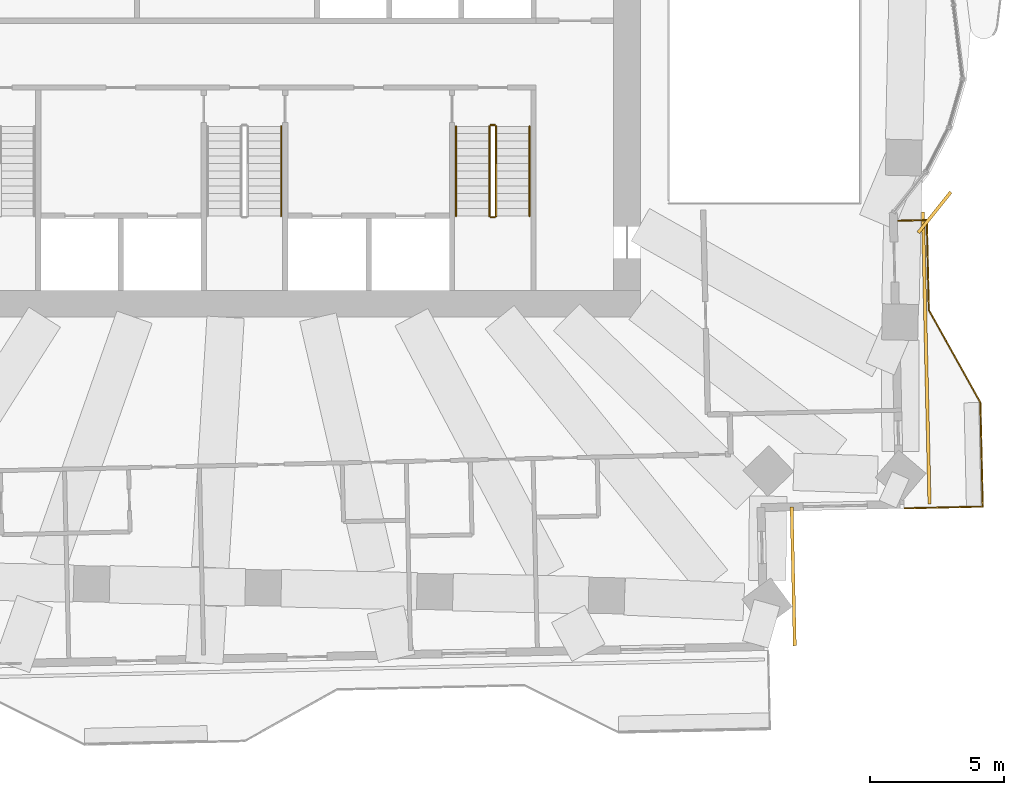
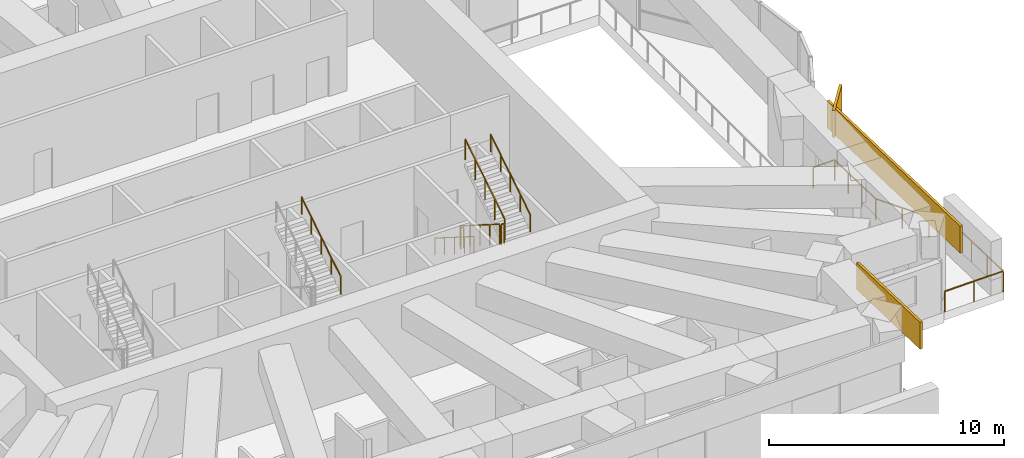
# One storey, part 18 of 21: 8 railings, 3 coverings.
"""IFC4 building model written with IfcOpenShell, lengths in metres."""

from ifc_helpers import new_model, si_unit, direction, frame, frame_2d, origin, origin_2d, place, context, subcontext, project, spatial, rectangle, circle, extrude, material, layer, layer_set, type_object, element, save


model = new_model("IFC4")

# Units and contexts
model_context = context("Model", 3, precision=1e-05, world=origin(), true_north=direction((0.0, 1.0)))
body_context = subcontext(model_context, "Body", "Model", "MODEL_VIEW")
ifc_project = project(units=[si_unit("LENGTHUNIT", "METRE"), si_unit("AREAUNIT", "SQUARE_METRE"), si_unit("VOLUMEUNIT", "CUBIC_METRE"), si_unit("PLANEANGLEUNIT", "RADIAN"), si_unit("MASSUNIT", "GRAM", prefix="KILO")], contexts=[model_context])

# Site, building, storey
site_placement = place(None, origin())
site = spatial("IfcSite", under=ifc_project, at=site_placement, CompositionType="ELEMENT")
building_placement = place(site_placement, origin())
building = spatial("IfcBuilding", under=site, at=building_placement, Name="Mangrove Gate Tower", CompositionType="ELEMENT")
storey_placement = place(building_placement, frame((0.0, 0.0, 125.5)))
storey = spatial("IfcBuildingStorey", under=building, at=storey_placement, Name="L31", CompositionType="ELEMENT", Elevation=125.5)

# Railings
ifc_material_1 = material(Name="Stainless steel grade 316 with laminated glass infill", Category="steel")
railing_type_1 = type_object("IfcRailingType", Name="Balcony guard 1100", PredefinedType="GUARDRAIL", material=ifc_material_1)
railing_1_placement = place(storey_placement, frame((24.7109375, -18.95703125, 0.0)))
element("IfcRailing", 1, at=railing_1_placement, inside=storey, type_object=railing_type_1, Name="GUARD L31 E1", PredefinedType="GUARDRAIL", context=body_context, shape_type="SweptSolid", body=[
    extrude(rectangle(XDim=0.048095703125, YDim=0.048095703125, at=origin_2d()), frame((0.0, 0.0, 1.076171875), z_axis=(0.999751103608, 0.02230988201, 0.0), x_axis=(-0.02230988201, 0.999751103608, 0.0)), (0.0, 0.0, 1.0), 2.910888671875),
    extrude(rectangle(XDim=0.048095703125, YDim=0.048095703125, at=origin_2d()), frame((2.91015625, 0.06494140625, 1.076171875), z_axis=(-0.02284795675, 0.999738951363, 0.0), x_axis=(-0.999738951363, -0.02284795675, 0.0)), (0.0, 0.0, 1.0), 3.900146484375),
    extrude(rectangle(XDim=0.048095703125, YDim=0.048095703125, at=origin_2d()), frame((2.821044921875, 3.964111328125, 1.076171875), z_axis=(-0.487155136876, 0.873315448515, 0.0), x_axis=(-0.873315448515, -0.487155136876, 0.0)), (0.0, 0.0, 1.0), 3.959716796875),
    extrude(rectangle(XDim=0.048095703125, YDim=0.048095703125, at=origin_2d()), frame((0.89208984375, 7.422119140625, 1.076171875), z_axis=(-0.022506060495, 0.999746706542, 0.0), x_axis=(-0.999746706542, -0.022506060495, 0.0)), (0.0, 0.0, 1.0), 3.373779296875),
    extrude(rectangle(XDim=0.048095703125, YDim=0.048095703125, at=origin_2d()), frame((0.816162109375, 10.794921875, 1.076171875), z_axis=(-0.999745389313, -0.022564497502, 0.0), x_axis=(0.022564497502, -0.999745389313, 0.0)), (0.0, 0.0, 1.0), 1.060302734375),
    extrude(rectangle(XDim=0.0419921875, YDim=0.0419921875, at=origin_2d()), origin(), (0.0, 0.0, 1.0), 1.052001953125),
    extrude(rectangle(XDim=0.0419921875, YDim=0.0419921875, at=origin_2d()), frame((1.455078125, 0.032470703125, 0.0)), (0.0, 0.0, 1.0), 1.052001953125),
    extrude(rectangle(XDim=0.0419921875, YDim=0.0419921875, at=origin_2d()), frame((2.91015625, 0.06494140625, 0.0)), (0.0, 0.0, 1.0), 1.052001953125),
    extrude(rectangle(XDim=0.0419921875, YDim=0.0419921875, at=origin_2d()), frame((2.88037109375, 1.36474609375, 0.0)), (0.0, 0.0, 1.0), 1.052001953125),
    extrude(rectangle(XDim=0.0419921875, YDim=0.0419921875, at=origin_2d()), frame((2.850830078125, 2.664306640625, 0.0)), (0.0, 0.0, 1.0), 1.052001953125),
    extrude(rectangle(XDim=0.0419921875, YDim=0.0419921875, at=origin_2d()), frame((2.821044921875, 3.964111328125, 0.0)), (0.0, 0.0, 1.0), 1.052001953125),
    extrude(rectangle(XDim=0.0419921875, YDim=0.0419921875, at=origin_2d()), frame((2.177978515625, 5.11669921875, 0.0)), (0.0, 0.0, 1.0), 1.052001953125),
    extrude(rectangle(XDim=0.0419921875, YDim=0.0419921875, at=origin_2d()), frame((1.53515625, 6.26953125, 0.0)), (0.0, 0.0, 1.0), 1.052001953125),
    extrude(rectangle(XDim=0.0419921875, YDim=0.0419921875, at=origin_2d()), frame((0.89208984375, 7.422119140625, 0.0)), (0.0, 0.0, 1.0), 1.052001953125),
    extrude(rectangle(XDim=0.0419921875, YDim=0.0419921875, at=origin_2d()), frame((0.86669921875, 8.54638671875, 0.0)), (0.0, 0.0, 1.0), 1.052001953125),
    extrude(rectangle(XDim=0.0419921875, YDim=0.0419921875, at=origin_2d()), frame((0.841552734375, 9.670654296875, 0.0)), (0.0, 0.0, 1.0), 1.052001953125),
    extrude(rectangle(XDim=0.0419921875, YDim=0.0419921875, at=origin_2d()), frame((0.816162109375, 10.794921875, 0.0)), (0.0, 0.0, 1.0), 1.052001953125),
    extrude(rectangle(XDim=0.0419921875, YDim=0.0419921875, at=origin_2d()), frame((-0.243896484375, 10.77099609375, 0.0)), (0.0, 0.0, 1.0), 1.052001953125),
])
ifc_material_2 = material(Name="Stainless steel 316", Category="steel")
railing_type_2 = type_object("IfcRailingType", Name="Core stair guard 1100", PredefinedType="GUARDRAIL", material=ifc_material_2)
railing_2_placement = place(storey_placement, frame((9.14990234375, -4.64990234375, 0.177001953125)))
element("IfcRailing", 2, at=railing_2_placement, inside=storey, type_object=railing_type_2, Name="L31 ST3 stair guard 1", PredefinedType="GUARDRAIL", context=body_context, shape_type="SweptSolid", body=[
    extrude(rectangle(XDim=0.048095703125, YDim=0.048095703125, at=origin_2d()), frame((0.0, 0.0, 1.076171875), z_axis=(0.0, -0.845389635667, 0.534150132366), x_axis=(1.0, 0.0, 0.0)), (0.0, 0.0, 1.0), 3.974609375),
    extrude(rectangle(XDim=0.0419921875, YDim=0.0419921875, at=origin_2d()), origin(), (0.0, 0.0, 1.0), 1.052001953125),
    extrude(rectangle(XDim=0.0419921875, YDim=0.0419921875, at=origin_2d()), frame((0.0, -0.840087890625, 0.53076171875)), (0.0, 0.0, 1.0), 1.052001953125),
    extrude(rectangle(XDim=0.0419921875, YDim=0.0419921875, at=origin_2d()), frame((0.0, -1.68017578125, 1.0615234375)), (0.0, 0.0, 1.0), 1.052001953125),
    extrude(rectangle(XDim=0.0419921875, YDim=0.0419921875, at=origin_2d()), frame((0.0, -2.52001953125, 1.59228515625)), (0.0, 0.0, 1.0), 1.052001953125),
    extrude(rectangle(XDim=0.0419921875, YDim=0.0419921875, at=origin_2d()), frame((0.0, -3.360107421875, 2.123046875)), (0.0, 0.0, 1.0), 1.052001953125),
])
railing_3_placement = place(storey_placement, frame((9.199951171875, -8.06005859375, 2.300048828125)))
element("IfcRailing", 3, at=railing_3_placement, inside=storey, type_object=railing_type_2, Name="L31 ST3 stair guard 2", PredefinedType="GUARDRAIL", context=body_context, shape_type="SweptSolid", body=[
    extrude(rectangle(XDim=0.048095703125, YDim=0.048095703125, at=origin_2d()), frame((0.0, 0.0, 1.076171875), z_axis=(1.0, 0.0, 0.0), x_axis=(0.0, 1.0, 0.0)), (0.0, 0.0, 1.0), 0.150146484375),
    extrude(rectangle(XDim=0.0419921875, YDim=0.0419921875, at=origin_2d()), origin(), (0.0, 0.0, 1.0), 1.052001953125),
    extrude(rectangle(XDim=0.0419921875, YDim=0.0419921875, at=origin_2d()), frame((0.150146484375, 0.0, 0.0)), (0.0, 0.0, 1.0), 1.052001953125),
])
railing_4_placement = place(storey_placement, frame((9.39990234375, -8.010009765625, 2.476806640625)))
element("IfcRailing", 4, at=railing_4_placement, inside=storey, type_object=railing_type_2, Name="L31 ST3 stair guard 3", PredefinedType="GUARDRAIL", context=body_context, shape_type="SweptSolid", body=[
    extrude(rectangle(XDim=0.048095703125, YDim=0.048095703125, at=origin_2d()), frame((0.0, 0.0, 1.076171875), z_axis=(0.0, 0.845361898145, 0.534194029511), x_axis=(-1.0, 0.0, 0.0)), (0.0, 0.0, 1.0), 3.974853515625),
    extrude(rectangle(XDim=0.0419921875, YDim=0.0419921875, at=origin_2d()), origin(), (0.0, 0.0, 1.0), 1.052001953125),
    extrude(rectangle(XDim=0.0419921875, YDim=0.0419921875, at=origin_2d()), frame((0.0, 0.840087890625, 0.53076171875)), (0.0, 0.0, 1.0), 1.052001953125),
    extrude(rectangle(XDim=0.0419921875, YDim=0.0419921875, at=origin_2d()), frame((0.0, 1.68017578125, 1.0615234375)), (0.0, 0.0, 1.0), 1.052001953125),
    extrude(rectangle(XDim=0.0419921875, YDim=0.0419921875, at=origin_2d()), frame((0.0, 2.52001953125, 1.592529296875)), (0.0, 0.0, 1.0), 1.052001953125),
    extrude(rectangle(XDim=0.0419921875, YDim=0.0419921875, at=origin_2d()), frame((0.0, 3.360107421875, 2.123291015625)), (0.0, 0.0, 1.0), 1.052001953125),
])
railing_5_placement = place(storey_placement, frame((9.199951171875, -4.60009765625, 0.0)))
element("IfcRailing", 5, at=railing_5_placement, inside=storey, type_object=railing_type_2, Name="L31 ST3 stair guard 4", PredefinedType="GUARDRAIL", context=body_context, shape_type="SweptSolid", body=[
    extrude(rectangle(XDim=0.048095703125, YDim=0.048095703125, at=origin_2d()), frame((0.0, 0.0, 1.076171875), z_axis=(1.0, 0.0, 0.0), x_axis=(0.0, 1.0, 0.0)), (0.0, 0.0, 1.0), 0.150146484375),
    extrude(rectangle(XDim=0.0419921875, YDim=0.0419921875, at=origin_2d()), origin(), (0.0, 0.0, 1.0), 1.052001953125),
    extrude(rectangle(XDim=0.0419921875, YDim=0.0419921875, at=origin_2d()), frame((0.150146484375, 0.0, 0.0)), (0.0, 0.0, 1.0), 1.052001953125),
])
ifc_material_3 = material(Name="Stainless steel 316", Category="steel")
railing_type_3 = type_object("IfcRailingType", Name="Core stair handrail 900", PredefinedType="HANDRAIL", material=ifc_material_3)
railing_6_placement = place(storey_placement, frame((1.35009765625, -8.010009765625, 2.476806640625)))
element("IfcRailing", 6, at=railing_6_placement, inside=storey, type_object=railing_type_3, Name="L31 ST2 stair handrail 2", PredefinedType="HANDRAIL", context=body_context, shape_type="SweptSolid", body=[
    extrude(circle(Radius=0.02392578125, at=origin_2d()), frame((0.0, 0.0, 0.8759765625), z_axis=(0.0, 0.845361898145, 0.534194029511), x_axis=(-1.0, 0.0, 0.0)), (0.0, 0.0, 1.0), 3.974853515625),
    extrude(circle(Radius=0.02099609375, at=origin_2d()), origin(), (0.0, 0.0, 1.0), 0.851806640625),
    extrude(circle(Radius=0.02099609375, at=origin_2d()), frame((0.0, 0.840087890625, 0.53076171875)), (0.0, 0.0, 1.0), 0.851806640625),
    extrude(circle(Radius=0.02099609375, at=origin_2d()), frame((0.0, 1.68017578125, 1.0615234375)), (0.0, 0.0, 1.0), 0.851806640625),
    extrude(circle(Radius=0.02099609375, at=origin_2d()), frame((0.0, 2.52001953125, 1.592529296875)), (0.0, 0.0, 1.0), 0.851806640625),
    extrude(circle(Radius=0.02099609375, at=origin_2d()), frame((0.0, 3.360107421875, 2.123291015625)), (0.0, 0.0, 1.0), 0.851806640625),
])
railing_7_placement = place(storey_placement, frame((7.89990234375, -4.64990234375, 0.177001953125)))
element("IfcRailing", 7, at=railing_7_placement, inside=storey, type_object=railing_type_3, Name="L31 ST3 stair handrail 1", PredefinedType="HANDRAIL", context=body_context, shape_type="SweptSolid", body=[
    extrude(circle(Radius=0.02392578125, at=origin_2d()), frame((0.0, 0.0, 0.8759765625), z_axis=(0.0, -0.845389635667, 0.534150132366), x_axis=(1.0, 0.0, 0.0)), (0.0, 0.0, 1.0), 3.974609375),
    extrude(circle(Radius=0.02099609375, at=origin_2d()), origin(), (0.0, 0.0, 1.0), 0.851806640625),
    extrude(circle(Radius=0.02099609375, at=origin_2d()), frame((0.0, -0.840087890625, 0.53076171875)), (0.0, 0.0, 1.0), 0.851806640625),
    extrude(circle(Radius=0.02099609375, at=origin_2d()), frame((0.0, -1.68017578125, 1.0615234375)), (0.0, 0.0, 1.0), 0.851806640625),
    extrude(circle(Radius=0.02099609375, at=origin_2d()), frame((0.0, -2.52001953125, 1.59228515625)), (0.0, 0.0, 1.0), 0.851806640625),
    extrude(circle(Radius=0.02099609375, at=origin_2d()), frame((0.0, -3.360107421875, 2.123046875)), (0.0, 0.0, 1.0), 0.851806640625),
])
railing_8_placement = place(storey_placement, frame((10.64990234375, -8.010009765625, 2.476806640625)))
element("IfcRailing", 8, at=railing_8_placement, inside=storey, type_object=railing_type_3, Name="L31 ST3 stair handrail 2", PredefinedType="HANDRAIL", context=body_context, shape_type="SweptSolid", body=[
    extrude(circle(Radius=0.02392578125, at=origin_2d()), frame((0.0, 0.0, 0.8759765625), z_axis=(0.0, 0.845361898145, 0.534194029511), x_axis=(-1.0, 0.0, 0.0)), (0.0, 0.0, 1.0), 3.974853515625),
    extrude(circle(Radius=0.02099609375, at=origin_2d()), origin(), (0.0, 0.0, 1.0), 0.851806640625),
    extrude(circle(Radius=0.02099609375, at=origin_2d()), frame((0.0, 0.840087890625, 0.53076171875)), (0.0, 0.0, 1.0), 0.851806640625),
    extrude(circle(Radius=0.02099609375, at=origin_2d()), frame((0.0, 1.68017578125, 1.0615234375)), (0.0, 0.0, 1.0), 0.851806640625),
    extrude(circle(Radius=0.02099609375, at=origin_2d()), frame((0.0, 2.52001953125, 1.592529296875)), (0.0, 0.0, 1.0), 0.851806640625),
    extrude(circle(Radius=0.02099609375, at=origin_2d()), frame((0.0, 3.360107421875, 2.123291015625)), (0.0, 0.0, 1.0), 0.851806640625),
])

# Coverings
ifc_material_4 = material(Name="Limestone", Category="masonry")
ifc_layer_1 = layer(ifc_material_4, 0.0400390625, Name="Limestone cladding")
ifc_material_5 = material(Name="Stainless steel anchors and cavity", Category="steel")
ifc_layer_2 = layer(ifc_material_5, 0.080078125, Name="Fixing cavity")
ifc_layer_set = layer_set([ifc_layer_1, ifc_layer_2], Name="Joint fascia cladding 120")
covering_type = type_object("IfcCoveringType", Name="Joint fascia cladding 120", PredefinedType="CLADDING", material=ifc_layer_set)
covering_1_placement = place(storey_placement, frame((25.62890625, -18.787109375, 2.64990234375), z_axis=(0.0, 0.0, 1.0), x_axis=(-0.022672187529, 0.99974295292, 0.0)))
element("IfcCovering", 9, at=covering_1_placement, inside=storey, type_object=covering_type, Name="STONE FASCIA L31 E0.1", PredefinedType="CLADDING", context=body_context, shape_type="SweptSolid", body=[
    extrude(rectangle(XDim=10.929931640625, YDim=0.1201171875, at=frame_2d((5.46484375, 0.0))), origin(), (0.0, 0.0, 1.0), 1.400146484375),
])
covering_2_placement = place(storey_placement, frame((25.2060546875, -8.635986328125, 2.64990234375), z_axis=(0.0, 0.0, 1.0), x_axis=(0.625807542415, 0.779977512404, 0.0)))
element("IfcCovering", 10, at=covering_2_placement, inside=storey, type_object=covering_type, Name="STONE FASCIA L31 E1.L1", PredefinedType="CLADDING", context=body_context, shape_type="SweptSolid", body=[
    extrude(rectangle(XDim=1.95263671875, YDim=0.1201171875, at=frame_2d((0.976318359375, 0.0))), origin(), (0.0, 0.0, 1.0), 1.400146484375),
])
covering_3_placement = place(storey_placement, frame((20.583984375, -24.10205078125, 2.64990234375), z_axis=(0.0, 0.0, 1.0), x_axis=(-0.022679806622, 0.999742780105, 0.0)))
element("IfcCovering", 11, at=covering_3_placement, inside=storey, type_object=covering_type, Name="STONE FASCIA L31 E14.1", PredefinedType="CLADDING", context=body_context, shape_type="SweptSolid", body=[
    extrude(rectangle(XDim=5.19921875, YDim=0.1201171875, at=frame_2d((2.599609375, 0.0))), origin(), (0.0, 0.0, 1.0), 1.400146484375),
])

save(model, "model.ifc")
